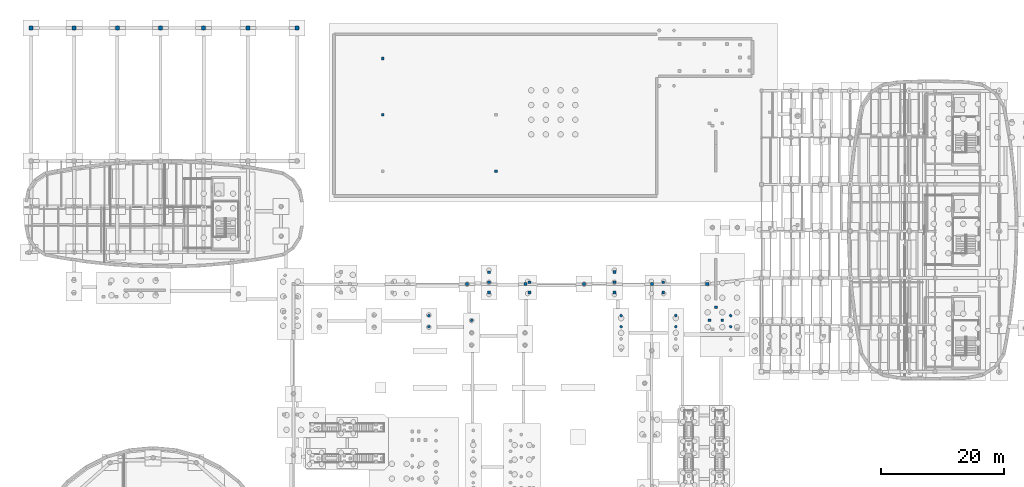
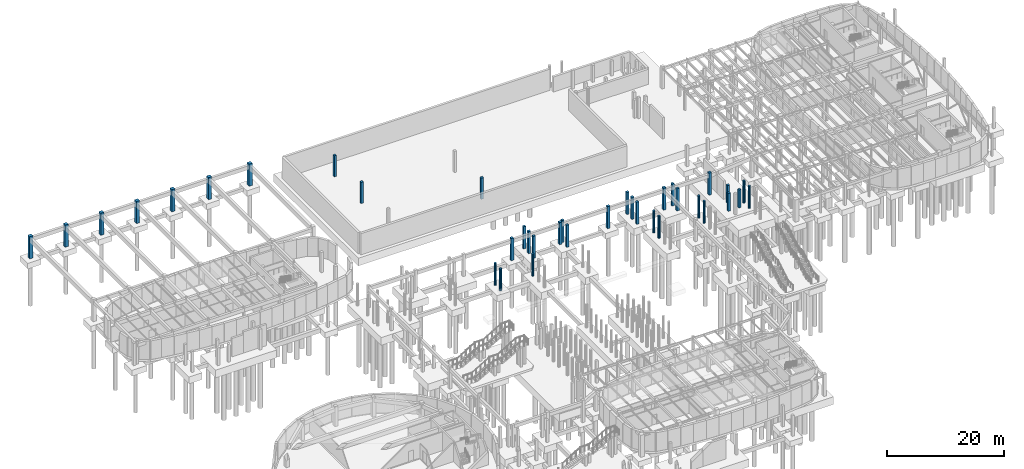
# One storey, part 14 of 45: 37 columns.
"""IFC4 building model written with IfcOpenShell, lengths in metres."""

from ifc_helpers import new_model, si_unit, direction, frame, origin, origin_2d, place, context, subcontext, project, spatial, rectangle, circle, extrude, material, material_profile, profile_set, type_object, element, save


model = new_model("IFC4")

# Units and contexts
model_context = context("Model", 3, precision=1e-05, world=origin(), true_north=direction((0.0, 1.0)))
body_context = subcontext(model_context, "Body", "Model", "MODEL_VIEW")
ifc_project = project(units=[si_unit("LENGTHUNIT", "METRE"), si_unit("AREAUNIT", "SQUARE_METRE"), si_unit("VOLUMEUNIT", "CUBIC_METRE"), si_unit("PLANEANGLEUNIT", "RADIAN"), si_unit("MASSUNIT", "GRAM", prefix="KILO")], contexts=[model_context])

# Site, building, storey
site_placement = place(None, origin())
site = spatial("IfcSite", under=ifc_project, at=site_placement, CompositionType="ELEMENT")
building_placement = place(site_placement, origin())
building = spatial("IfcBuilding", under=site, at=building_placement, Name="Corveleigh Park Community Centre", CompositionType="ELEMENT")
storey_placement = place(building_placement, frame((0.0, 0.0, -4.199951171875)))
storey = spatial("IfcBuildingStorey", under=building, at=storey_placement, Name="B1", CompositionType="ELEMENT", Elevation=-4.199951171875)

# Columns
ifc_material = material(Name="Concrete C40/50", Category="concrete")
ifc_material_profile_1 = material_profile(ifc_material, rectangle(XDim=0.449951171875, YDim=0.449951171875, at=origin_2d()), Name="RC-450x450", Category="concrete")
ifc_profile_set_1 = profile_set([ifc_material_profile_1], Name="Concrete C40/50")
column_type_1 = type_object("IfcColumnType", Name="COL-RC-450x450", PredefinedType="COLUMN", material=ifc_profile_set_1)
for number, where, z_axis, x_axis, name in (
    (1, (121.35009765625, 66.949951171875, -0.4150390625), (0.0, 0.0, 1.0), (1.0, 0.0, 0.0), "External deck support pier 63 B1"),
    (2, (123.449951171875, 66.949951171875, -0.4150390625), (0.0, 0.0, 1.0), (1.0, 0.0, 0.0), "External deck support pier 64 B1"),
    (3, (122.39990234375, 69.050048828125, -0.4150390625), (0.0, 0.0, 1.0), (1.0, 0.0, 0.0), "External deck support pier 65 B1"),
):
    element("IfcColumn", number, at=place(storey_placement, frame(where, z_axis=z_axis, x_axis=x_axis)), inside=storey, type_object=column_type_1, Name=name, PredefinedType="COLUMN", context=body_context, shape_type="SweptSolid", body=[
        extrude(rectangle(XDim=0.449951171875, YDim=0.449951171875, at=origin_2d()), origin(), (0.0, 0.0, 1.0), 3.73291015625),
    ])
for number, where, z_axis, x_axis, name in (
    (4, (68.2958984375, 100.300048828125, -0.4150390625), (0.0, 0.0, 1.0), (1.0, 0.0, 0.0), "External deck support pier 181 B1"),
    (5, (68.2958984375, 109.4560546875, -0.4150390625), (0.0, 0.0, 1.0), (1.0, 0.0, 0.0), "External deck support pier 182 B1"),
    (6, (86.675048828125, 91.14404296875, -0.4150390625), (0.0, 0.0, 1.0), (1.0, 0.0, 0.0), "External deck support pier 183 B1"),
):
    element("IfcColumn", number, at=place(storey_placement, frame(where, z_axis=z_axis, x_axis=x_axis)), inside=storey, type_object=column_type_1, Name=name, PredefinedType="COLUMN", context=body_context, shape_type="SweptSolid", body=[
        extrude(rectangle(XDim=0.449951171875, YDim=0.449951171875, at=origin_2d()), origin(), (0.0, 0.0, 1.0), 4.4130859375),
    ])
for number, where, z_axis, x_axis, name in (
    (7, (85.548095703125, 71.4541015625, -0.4150390625), (0.0, 0.0, 1.0), (1.0, 0.0, 0.0), "External deck support pier 224 B1"),
    (8, (85.548095703125, 73.10009765625, -0.4150390625), (0.0, 0.0, 1.0), (1.0, 0.0, 0.0), "External deck support pier 225 B1"),
    (9, (85.548095703125, 74.74609375, -0.4150390625), (0.0, 0.0, 1.0), (1.0, 0.0, 0.0), "External deck support pier 226 B1"),
    (10, (92.14990234375, 71.4541015625, -0.4150390625), (0.0, 0.0, 1.0), (1.0, 0.0, 0.0), "External deck support pier 227 B1"),
    (11, (92.14990234375, 73.10009765625, -0.4150390625), (0.0, 0.0, 1.0), (1.0, 0.0, 0.0), "External deck support pier 228 B1"),
    (12, (105.9189453125, 71.431884765625, -0.4150390625), (0.0, 0.0, 1.0), (1.0, 0.0, 0.0), "External deck support pier 229 B1"),
    (13, (105.9189453125, 73.10302734375, -0.4150390625), (0.0, 0.0, 1.0), (1.0, 0.0, 0.0), "External deck support pier 230 B1"),
    (14, (105.9189453125, 74.77490234375, -0.4150390625), (0.0, 0.0, 1.0), (1.0, 0.0, 0.0), "External deck support pier 231 B1"),
    (15, (113.85009765625, 71.431884765625, -0.4150390625), (0.0, 0.0, 1.0), (1.0, 0.0, 0.0), "External deck support pier 232 B1"),
    (16, (113.85009765625, 73.10302734375, -0.4150390625), (0.0, 0.0, 1.0), (1.0, 0.0, 0.0), "External deck support pier 233 B1"),
):
    element("IfcColumn", number, at=place(storey_placement, frame(where, z_axis=z_axis, x_axis=x_axis)), inside=storey, type_object=column_type_1, Name=name, PredefinedType="COLUMN", context=body_context, shape_type="SweptSolid", body=[
        extrude(rectangle(XDim=0.449951171875, YDim=0.449951171875, at=origin_2d()), origin(), (0.0, 0.0, 1.0), 4.614990234375),
    ])
ifc_material_profile_2 = material_profile(ifc_material, rectangle(XDim=0.5, YDim=0.5, at=origin_2d()), Name="RC-500x500", Category="concrete")
ifc_profile_set_2 = profile_set([ifc_material_profile_2], Name="Concrete C40/50")
column_type_2 = type_object("IfcColumnType", Name="COL-RC-500x500", PredefinedType="COLUMN", material=ifc_profile_set_2)
for number, where, z_axis, x_axis, name in (
    (17, (82.0, 72.800048828125, -0.4150390625), (0.0, 0.0, 1.0), (1.0, 0.0, 0.0), "Column V5-N3 B1"),
    (18, (91.5, 72.800048828125, -0.4150390625), (0.0, 0.0, 1.0), (1.0, 0.0, 0.0), "Column V5-N4 B1"),
    (19, (101.0, 72.800048828125, -0.4150390625), (0.0, 0.0, 1.0), (1.0, 0.0, 0.0), "Column V5-N5 B1"),
    (20, (112.0, 72.800048828125, -0.4150390625), (0.0, 0.0, 1.0), (1.0, 0.0, 0.0), "Column V5-N6 B1"),
    (21, (121.0, 72.800048828125, -0.4150390625), (0.0, 0.0, 1.0), (1.0, 0.0, 0.0), "Column V5-N7 B1"),
):
    element("IfcColumn", number, at=place(storey_placement, frame(where, z_axis=z_axis, x_axis=x_axis)), inside=storey, type_object=column_type_2, Name=name, PredefinedType="COLUMN", context=body_context, shape_type="SweptSolid", body=[
        extrude(rectangle(XDim=0.5, YDim=0.5, at=origin_2d()), origin(), (0.0, 0.0, 1.0), 4.614990234375),
    ])
ifc_material_profile_3 = material_profile(ifc_material, rectangle(XDim=0.64990234375, YDim=0.64990234375, at=origin_2d()), Name="RC-650x650", Category="concrete")
ifc_profile_set_3 = profile_set([ifc_material_profile_3], Name="Concrete C40/50")
column_type_3 = type_object("IfcColumnType", Name="COL-RC-650x650", PredefinedType="COLUMN", material=ifc_profile_set_3)
for number, where, z_axis, x_axis, name in (
    (22, (11.199951171875, 114.39990234375, -0.4150390625), (0.0, 0.0, 1.0), (1.0, 0.0, 0.0), "Column V2-HN1 B1"),
    (23, (18.199951171875, 114.39990234375, -0.4150390625), (0.0, 0.0, 1.0), (1.0, 0.0, 0.0), "Column V2-HN2 B1"),
    (24, (25.199951171875, 114.39990234375, -0.4150390625), (0.0, 0.0, 1.0), (1.0, 0.0, 0.0), "Column V2-HN3 B1"),
    (25, (32.199951171875, 114.39990234375, -0.4150390625), (0.0, 0.0, 1.0), (1.0, 0.0, 0.0), "Column V2-HN4 B1"),
    (26, (39.199951171875, 114.39990234375, -0.4150390625), (0.0, 0.0, 1.0), (1.0, 0.0, 0.0), "Column V2-HN5 B1"),
    (27, (46.39990234375, 114.39990234375, -0.4150390625), (0.0, 0.0, 1.0), (1.0, 0.0, 0.0), "Column V2-HN6 B1"),
    (28, (54.39990234375, 114.39990234375, -0.4150390625), (0.0, 0.0, 1.0), (1.0, 0.0, 0.0), "Column V2-HN7 B1"),
):
    element("IfcColumn", number, at=place(storey_placement, frame(where, z_axis=z_axis, x_axis=x_axis)), inside=storey, type_object=column_type_3, Name=name, PredefinedType="COLUMN", context=body_context, shape_type="SweptSolid", body=[
        extrude(rectangle(XDim=0.64990234375, YDim=0.64990234375, at=origin_2d()), origin(), (0.0, 0.0, 1.0), 4.614990234375),
    ])
ifc_material_profile_4 = material_profile(ifc_material, circle(Radius=0.22509765625, at=origin_2d()), Name="RC-450D", Category="concrete")
ifc_profile_set_4 = profile_set([ifc_material_profile_4], Name="Concrete C40/50")
column_type_4 = type_object("IfcColumnType", Name="COL-RCE-450D", PredefinedType="COLUMN", material=ifc_profile_set_4)
for number, where, z_axis, x_axis, name in (
    (29, (124.7919921875, 65.89990234375, -0.4150390625), (0.0, 0.0, 1.0), (1.0, 0.0, 0.0), "External deck support pier 96 B1"),
    (30, (124.7919921875, 67.699951171875, -0.4150390625), (0.0, 0.0, 1.0), (1.0, 0.0, 0.0), "External deck support pier 97 B1"),
    (31, (115.89990234375, 65.89990234375, -0.4150390625), (0.0, 0.0, 1.0), (1.0, 0.0, 0.0), "External deck support pier 98 B1"),
    (32, (115.89990234375, 67.699951171875, -0.4150390625), (0.0, 0.0, 1.0), (1.0, 0.0, 0.0), "External deck support pier 99 B1"),
    (33, (107.008056640625, 65.89990234375, -0.4150390625), (0.0, 0.0, 1.0), (1.0, 0.0, 0.0), "External deck support pier 100 B1"),
    (34, (107.008056640625, 67.699951171875, -0.4150390625), (0.0, 0.0, 1.0), (1.0, 0.0, 0.0), "External deck support pier 101 B1"),
    (35, (75.7919921875, 65.89990234375, -0.4150390625), (0.0, 0.0, 1.0), (1.0, 0.0, 0.0), "External deck support pier 102 B1"),
    (36, (75.7919921875, 67.699951171875, -0.4150390625), (0.0, 0.0, 1.0), (1.0, 0.0, 0.0), "External deck support pier 103 B1"),
    (37, (82.73388671875, 66.916015625, -0.4150390625), (0.0, 0.0, 1.0), (1.0, 0.0, 0.0), "External deck support pier 244 B1"),
):
    element("IfcColumn", number, at=place(storey_placement, frame(where, z_axis=z_axis, x_axis=x_axis)), inside=storey, type_object=column_type_4, Name=name, PredefinedType="COLUMN", context=body_context, shape_type="SweptSolid", body=[
        extrude(circle(Radius=0.22509765625, at=origin_2d()), origin(), (0.0, 0.0, 1.0), 4.614990234375),
    ])

save(model, "model.ifc")
